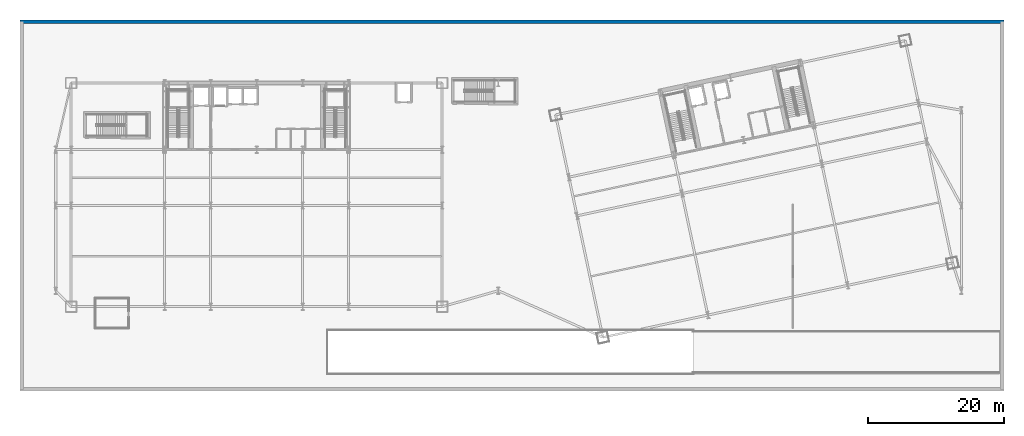
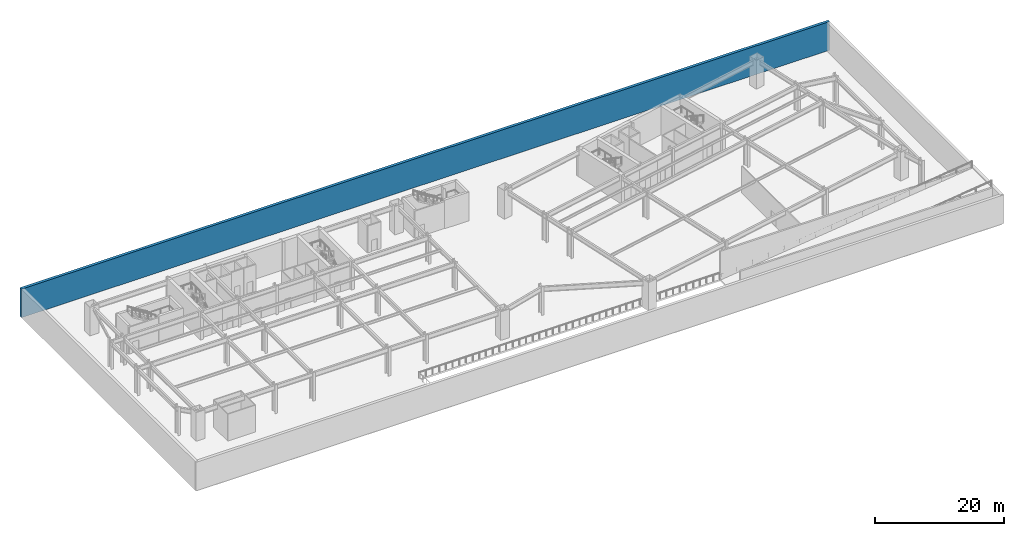
# One storey, part 9 of 16: 1 wall.
"""IFC4 building model written with IfcOpenShell, lengths in metres."""

from ifc_helpers import new_model, si_unit, direction, frame, frame_2d, origin, place, context, subcontext, project, spatial, rectangle, extrude, material, layer, layer_set, type_object, element, save


model = new_model("IFC4")

# Units and contexts
model_context = context("Model", 3, precision=1e-05, world=origin(), true_north=direction((0.0, 1.0)))
body_context = subcontext(model_context, "Body", "Model", "MODEL_VIEW")
ifc_project = project(units=[si_unit("LENGTHUNIT", "METRE"), si_unit("AREAUNIT", "SQUARE_METRE"), si_unit("VOLUMEUNIT", "CUBIC_METRE"), si_unit("PLANEANGLEUNIT", "RADIAN"), si_unit("MASSUNIT", "GRAM", prefix="KILO")], contexts=[model_context])

# Site, building, storey
site_placement = place(None, origin())
site = spatial("IfcSite", under=ifc_project, at=site_placement, CompositionType="ELEMENT")
building_placement = place(site_placement, origin())
building = spatial("IfcBuilding", under=site, at=building_placement, Name="Haevon Station Towers", CompositionType="ELEMENT")
storey_placement = place(building_placement, frame((0.0, 0.0, -5.39990234375)))
storey = spatial("IfcBuildingStorey", under=building, at=storey_placement, Name="B01", CompositionType="ELEMENT", Elevation=-5.39990234375)

# Wall
ifc_material = material(Name="Concrete C50/60", Category="concrete")
ifc_layer = layer(ifc_material, 0.5)
ifc_layer_set = layer_set([ifc_layer], Name="Concrete C50/60")
wall_type = type_object("IfcWallType", Name="WL-RET500", PredefinedType="SOLIDWALL", material=ifc_layer_set)
wall_placement = place(storey_placement, frame((2.75, 57.0, 0.0), z_axis=(0.0, 0.0, 1.0), x_axis=(1.0, 0.0, 0.0)))
element("IfcWall", 1, at=wall_placement, inside=storey, type_object=wall_type, Name="WL-RET-B01-N", PredefinedType="SOLIDWALL", context=body_context, shape_type="SweptSolid", body=[
    extrude(rectangle(XDim=144.5, YDim=0.5, at=frame_2d((72.25, 0.0))), origin(), (0.0, 0.0, 1.0), 5.39990234375),
])

save(model, "model.ifc")
